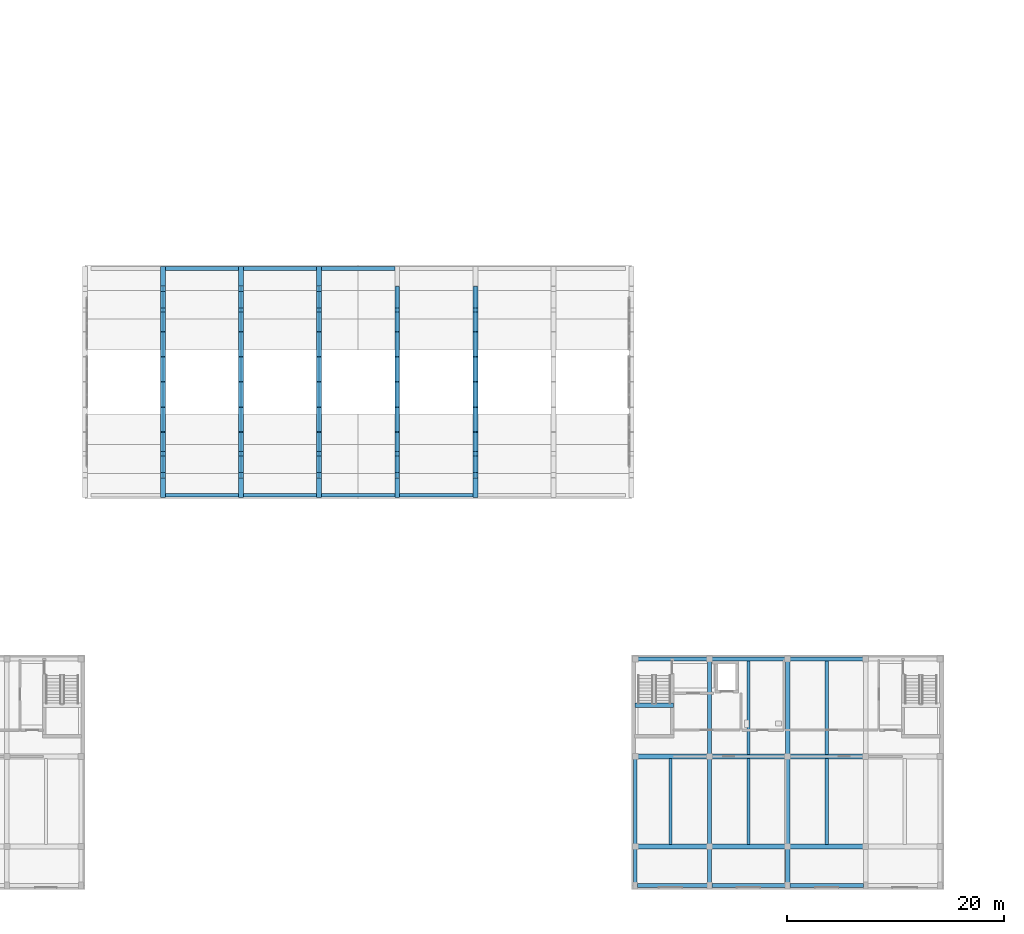
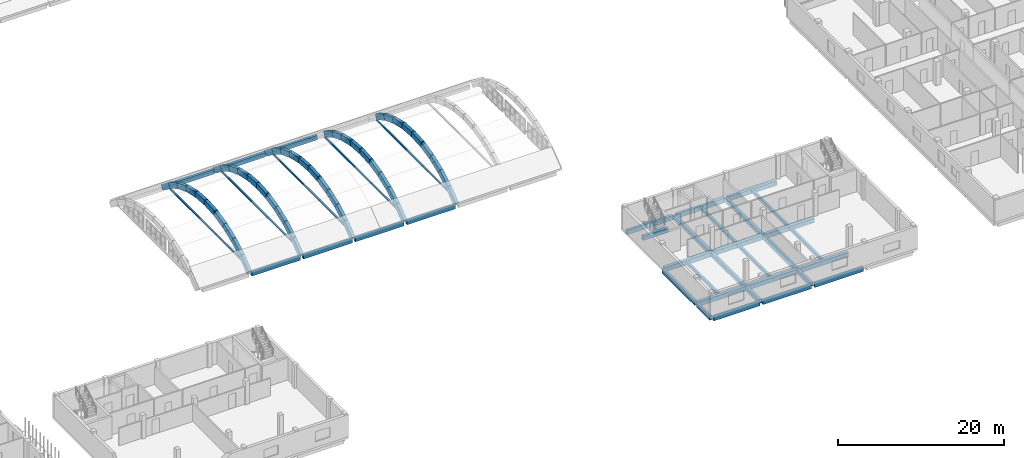
# One storey, part 13 of 73: 81 beams, 5 members.
"""IFC4 building model written with IfcOpenShell, lengths in metres."""

from ifc_helpers import new_model, si_unit, derived_unit, direction, frame, origin, origin_2d, place, context, subcontext, project, spatial, rectangle, hollow_rectangle, extrude, material, material_profile, profile_set, type_object, element, save


model = new_model("IFC4")

# Units and contexts
model_context = context("Model", 3, precision=1e-05, world=origin(), true_north=direction((0.0, 1.0)))
body_context = subcontext(model_context, "Body", "Model", "MODEL_VIEW")
ifc_project = project(units=[si_unit("LENGTHUNIT", "METRE"), si_unit("AREAUNIT", "SQUARE_METRE"), si_unit("VOLUMEUNIT", "CUBIC_METRE"), si_unit("PLANEANGLEUNIT", "RADIAN"), si_unit("MASSUNIT", "GRAM", prefix="KILO"), derived_unit("THERMALTRANSMITTANCEUNIT", [(si_unit("MASSUNIT", "GRAM", prefix="KILO"), 1), (si_unit("TIMEUNIT", "SECOND"), -3), (si_unit("THERMODYNAMICTEMPERATUREUNIT", "KELVIN"), -1)])], contexts=[model_context])

# Site, building, storey
site_placement = place(None, origin())
site = spatial("IfcSite", under=ifc_project, at=site_placement, CompositionType="ELEMENT")
building_placement = place(site_placement, origin())
building = spatial("IfcBuilding", under=site, at=building_placement, Name="Ochrekiln Boulevard Commons", CompositionType="ELEMENT")
storey_placement = place(building_placement, frame((0.0, 0.0, 8.574951171875)))
storey = spatial("IfcBuildingStorey", under=building, at=storey_placement, Name="L02", CompositionType="ELEMENT", Elevation=8.574951171875)

# Beams
ifc_material_1 = material(Name="Concrete C35/45", Category="concrete")
ifc_material_profile_1 = material_profile(ifc_material_1, rectangle(XDim=0.39990234375, YDim=0.60009765625, at=origin_2d()), Name="RC-BM-400x600")
ifc_profile_set_1 = profile_set([ifc_material_profile_1], Name="Concrete C35/45")
beam_type_1 = type_object("IfcBeamType", Name="BM-RC-400x600", PredefinedType="BEAM", material=ifc_profile_set_1)
beam_1_placement = place(storey_placement, frame((115.199951171875, 0.56005859375, -0.574951171875), z_axis=(0.0, 1.0, 0.0), x_axis=(-1.0, 0.0, 0.0)))
element("IfcBeam", 1, at=beam_1_placement, inside=storey, type_object=beam_type_1, Name="East Boulevard Shops and Arcade L02 Beam B-4060 Y19", PredefinedType="BEAM", context=body_context, shape_type="SweptSolid", body=[
    extrude(rectangle(XDim=0.39990234375, YDim=0.60009765625, at=origin_2d()), origin(), (0.0, 0.0, 1.0), 3.179931640625),
])
beam_2_placement = place(storey_placement, frame((115.199951171875, 4.159912109375, -0.574951171875), z_axis=(0.0, 1.0, 0.0), x_axis=(-1.0, 0.0, 0.0)))
element("IfcBeam", 2, at=beam_2_placement, inside=storey, type_object=beam_type_1, Name="East Boulevard Shops and Arcade L02 Beam B-4060 Y20", PredefinedType="BEAM", context=body_context, shape_type="SweptSolid", body=[
    extrude(rectangle(XDim=0.39990234375, YDim=0.60009765625, at=origin_2d()), origin(), (0.0, 0.0, 1.0), 7.880126953125),
])
beam_3_placement = place(storey_placement, frame((115.199951171875, 12.4599609375, -0.574951171875), z_axis=(0.0, 1.0, 0.0), x_axis=(-1.0, 0.0, 0.0)))
element("IfcBeam", 3, at=beam_3_placement, inside=storey, type_object=beam_type_1, Name="East Boulevard Shops and Arcade L02 Beam B-4060 Y21", PredefinedType="BEAM", context=body_context, shape_type="SweptSolid", body=[
    extrude(rectangle(XDim=0.39990234375, YDim=0.60009765625, at=origin_2d()), origin(), (0.0, 0.0, 1.0), 8.580078125),
])
beam_4_placement = place(storey_placement, frame((122.39990234375, 0.56005859375, -0.574951171875), z_axis=(0.0, 1.0, 0.0), x_axis=(-1.0, 0.0, 0.0)))
element("IfcBeam", 4, at=beam_4_placement, inside=storey, type_object=beam_type_1, Name="East Boulevard Shops and Arcade L02 Beam B-4060 Y22", PredefinedType="BEAM", context=body_context, shape_type="SweptSolid", body=[
    extrude(rectangle(XDim=0.39990234375, YDim=0.60009765625, at=origin_2d()), origin(), (0.0, 0.0, 1.0), 3.179931640625),
])
beam_5_placement = place(storey_placement, frame((122.39990234375, 4.159912109375, -0.574951171875), z_axis=(0.0, 1.0, 0.0), x_axis=(-1.0, 0.0, 0.0)))
element("IfcBeam", 5, at=beam_5_placement, inside=storey, type_object=beam_type_1, Name="East Boulevard Shops and Arcade L02 Beam B-4060 Y23", PredefinedType="BEAM", context=body_context, shape_type="SweptSolid", body=[
    extrude(rectangle(XDim=0.39990234375, YDim=0.60009765625, at=origin_2d()), origin(), (0.0, 0.0, 1.0), 7.880126953125),
])
beam_6_placement = place(storey_placement, frame((122.39990234375, 12.4599609375, -0.574951171875), z_axis=(0.0, 1.0, 0.0), x_axis=(-1.0, 0.0, 0.0)))
element("IfcBeam", 6, at=beam_6_placement, inside=storey, type_object=beam_type_1, Name="East Boulevard Shops and Arcade L02 Beam B-4060 Y24", PredefinedType="BEAM", context=body_context, shape_type="SweptSolid", body=[
    extrude(rectangle(XDim=0.39990234375, YDim=0.60009765625, at=origin_2d()), origin(), (0.0, 0.0, 1.0), 8.580078125),
])
beam_7_placement = place(storey_placement, frame((108.320068359375, 16.969970703125, 1.239990234375), z_axis=(1.0, 0.0, 0.0), x_axis=(0.0, 1.0, 0.0)))
element("IfcBeam", 7, at=beam_7_placement, inside=storey, type_object=beam_type_1, Name="Stair ST-E1 L02 Half-Landing Support Beam B-4060", PredefinedType="BEAM", context=body_context, shape_type="SweptSolid", body=[
    extrude(rectangle(XDim=0.39990234375, YDim=0.60009765625, at=origin_2d()), origin(), (0.0, 0.0, 1.0), 3.559814453125),
])
ifc_material_profile_2 = material_profile(ifc_material_1, rectangle(XDim=0.449951171875, YDim=0.64990234375, at=origin_2d()), Name="RC-BM-450x650")
ifc_profile_set_2 = profile_set([ifc_material_profile_2], Name="Concrete C35/45")
beam_type_2 = type_object("IfcBeamType", Name="BM-RC-450x650", PredefinedType="BEAM", material=ifc_profile_set_2)
beam_8_placement = place(storey_placement, frame((108.56005859375, 3.949951171875, -0.599853515625), z_axis=(1.0, 0.0, 0.0), x_axis=(0.0, 1.0, 0.0)))
element("IfcBeam", 8, at=beam_8_placement, inside=storey, type_object=beam_type_2, Name="East Boulevard Shops and Arcade L02 Beam B-4565 X5", PredefinedType="BEAM", context=body_context, shape_type="SweptSolid", body=[
    extrude(rectangle(XDim=0.449951171875, YDim=0.64990234375, at=origin_2d()), origin(), (0.0, 0.0, 1.0), 6.429931640625),
])
beam_9_placement = place(storey_placement, frame((115.409912109375, 3.949951171875, -0.599853515625), z_axis=(1.0, 0.0, 0.0), x_axis=(0.0, 1.0, 0.0)))
element("IfcBeam", 9, at=beam_9_placement, inside=storey, type_object=beam_type_2, Name="East Boulevard Shops and Arcade L02 Beam B-4565 X6", PredefinedType="BEAM", context=body_context, shape_type="SweptSolid", body=[
    extrude(rectangle(XDim=0.449951171875, YDim=0.64990234375, at=origin_2d()), origin(), (0.0, 0.0, 1.0), 6.780029296875),
])
beam_10_placement = place(storey_placement, frame((122.610107421875, 3.949951171875, -0.599853515625), z_axis=(1.0, 0.0, 0.0), x_axis=(0.0, 1.0, 0.0)))
element("IfcBeam", 10, at=beam_10_placement, inside=storey, type_object=beam_type_2, Name="East Boulevard Shops and Arcade L02 Beam B-4565 X7", PredefinedType="BEAM", context=body_context, shape_type="SweptSolid", body=[
    extrude(rectangle(XDim=0.449951171875, YDim=0.64990234375, at=origin_2d()), origin(), (0.0, 0.0, 1.0), 6.77978515625),
])
beam_11_placement = place(storey_placement, frame((108.56005859375, 12.25, -0.599853515625), z_axis=(1.0, 0.0, 0.0), x_axis=(0.0, 1.0, 0.0)))
element("IfcBeam", 11, at=beam_11_placement, inside=storey, type_object=beam_type_2, Name="East Boulevard Shops and Arcade L02 Beam B-4565 X9", PredefinedType="BEAM", context=body_context, shape_type="SweptSolid", body=[
    extrude(rectangle(XDim=0.449951171875, YDim=0.64990234375, at=origin_2d()), origin(), (0.0, 0.0, 1.0), 6.429931640625),
])
beam_12_placement = place(storey_placement, frame((115.409912109375, 12.25, -0.599853515625), z_axis=(1.0, 0.0, 0.0), x_axis=(0.0, 1.0, 0.0)))
element("IfcBeam", 12, at=beam_12_placement, inside=storey, type_object=beam_type_2, Name="East Boulevard Shops and Arcade L02 Beam B-4565 X10", PredefinedType="BEAM", context=body_context, shape_type="SweptSolid", body=[
    extrude(rectangle(XDim=0.449951171875, YDim=0.64990234375, at=origin_2d()), origin(), (0.0, 0.0, 1.0), 6.780029296875),
])
beam_13_placement = place(storey_placement, frame((122.610107421875, 12.25, -0.599853515625), z_axis=(1.0, 0.0, 0.0), x_axis=(0.0, 1.0, 0.0)))
element("IfcBeam", 13, at=beam_13_placement, inside=storey, type_object=beam_type_2, Name="East Boulevard Shops and Arcade L02 Beam B-4565 X11", PredefinedType="BEAM", context=body_context, shape_type="SweptSolid", body=[
    extrude(rectangle(XDim=0.449951171875, YDim=0.64990234375, at=origin_2d()), origin(), (0.0, 0.0, 1.0), 6.77978515625),
])
ifc_material_2 = material(Name="Concrete C40/50", Category="concrete")
ifc_material_profile_3 = material_profile(ifc_material_2, rectangle(XDim=0.449951171875, YDim=0.800048828125, at=origin_2d()), Name="RC-RIB-450x800")
ifc_profile_set_3 = profile_set([ifc_material_profile_3], Name="Concrete C40/50")
beam_type_3 = type_object("IfcBeamType", Name="BM-RIB-450x800", PredefinedType="BEAM", material=ifc_profile_set_3)
beam_14_placement = place(storey_placement, frame((64.800048828125, 36.405517578125, -0.4423828125), z_axis=(0.0, 0.785288184657, 0.61913041198), x_axis=(-1.0, 0.0, 0.0)))
element("IfcBeam", 14, at=beam_14_placement, inside=storey, type_object=beam_type_3, Name="Community Hall Barrel Vault Arch Rib 2 Chord 1", PredefinedType="BEAM", context=body_context, shape_type="SweptSolid", body=[
    extrude(rectangle(XDim=0.449951171875, YDim=0.800048828125, at=origin_2d()), origin(), (0.0, 0.0, 1.0), 2.280517578125),
])
beam_15_placement = place(storey_placement, frame((64.800048828125, 38.1962890625, 0.969482421875), z_axis=(0.0, 0.868183838811, 0.496242704759), x_axis=(-1.0, 0.0, 0.0)))
element("IfcBeam", 15, at=beam_15_placement, inside=storey, type_object=beam_type_3, Name="Community Hall Barrel Vault Arch Rib 2 Chord 2", PredefinedType="BEAM", context=body_context, shape_type="SweptSolid", body=[
    extrude(rectangle(XDim=0.449951171875, YDim=0.800048828125, at=origin_2d()), origin(), (0.0, 0.0, 1.0), 2.2802734375),
])
for number, where, z_axis, x_axis, name in (
    (16, (64.800048828125, 40.176025390625, 2.10107421875), (0.0, 0.93199261694, 0.362477257174), (-1.0, 0.0, 0.0), "Community Hall Barrel Vault Arch Rib 2 Chord 3"),
    (17, (64.800048828125, 42.301513671875, 2.927734375), (0.0, 0.975333305686, 0.220737271027), (-1.0, 0.0, 0.0), "Community Hall Barrel Vault Arch Rib 2 Chord 4"),
    (18, (64.800048828125, 44.52587890625, 3.43115234375), (0.0, 0.997251957722, 0.074084632823), (-1.0, 0.0, 0.0), "Community Hall Barrel Vault Arch Rib 2 Chord 5"),
    (19, (64.800048828125, 46.800048828125, 3.60009765625), (0.0, 0.997251957722, -0.074084632823), (-1.0, 0.0, 0.0), "Community Hall Barrel Vault Arch Rib 2 Chord 6"),
    (20, (64.800048828125, 49.07421875, 3.43115234375), (0.0, 0.975333305686, -0.220737271027), (-1.0, 0.0, 0.0), "Community Hall Barrel Vault Arch Rib 2 Chord 7"),
):
    element("IfcBeam", number, at=place(storey_placement, frame(where, z_axis=z_axis, x_axis=x_axis)), inside=storey, type_object=beam_type_3, Name=name, PredefinedType="BEAM", context=body_context, shape_type="SweptSolid", body=[
        extrude(rectangle(XDim=0.449951171875, YDim=0.800048828125, at=origin_2d()), origin(), (0.0, 0.0, 1.0), 2.280517578125),
    ])
beam_16_placement = place(storey_placement, frame((64.800048828125, 51.298583984375, 2.927734375), z_axis=(0.0, 0.93197854933, -0.362513425391), x_axis=(-1.0, 0.0, 0.0)))
element("IfcBeam", 21, at=beam_16_placement, inside=storey, type_object=beam_type_3, Name="Community Hall Barrel Vault Arch Rib 2 Chord 8", PredefinedType="BEAM", context=body_context, shape_type="SweptSolid", body=[
    extrude(rectangle(XDim=0.449951171875, YDim=0.800048828125, at=origin_2d()), origin(), (0.0, 0.0, 1.0), 2.2802734375),
])
for number, where, z_axis, x_axis, name in (
    (22, (64.800048828125, 53.423828125, 2.10107421875), (0.0, 0.868210200433, -0.496196581875), (-1.0, 0.0, 0.0), "Community Hall Barrel Vault Arch Rib 2 Chord 9"),
    (23, (64.800048828125, 55.40380859375, 0.969482421875), (0.0, 0.785288184657, -0.61913041198), (-1.0, 0.0, 0.0), "Community Hall Barrel Vault Arch Rib 2 Chord 10"),
    (24, (72.0, 36.405517578125, -0.4423828125), (0.0, 0.785288184657, 0.61913041198), (-1.0, 0.0, 0.0), "Community Hall Barrel Vault Arch Rib 3 Chord 1"),
):
    element("IfcBeam", number, at=place(storey_placement, frame(where, z_axis=z_axis, x_axis=x_axis)), inside=storey, type_object=beam_type_3, Name=name, PredefinedType="BEAM", context=body_context, shape_type="SweptSolid", body=[
        extrude(rectangle(XDim=0.449951171875, YDim=0.800048828125, at=origin_2d()), origin(), (0.0, 0.0, 1.0), 2.280517578125),
    ])
beam_17_placement = place(storey_placement, frame((72.0, 38.1962890625, 0.969482421875), z_axis=(0.0, 0.868183838811, 0.496242704759), x_axis=(-1.0, 0.0, 0.0)))
element("IfcBeam", 25, at=beam_17_placement, inside=storey, type_object=beam_type_3, Name="Community Hall Barrel Vault Arch Rib 3 Chord 2", PredefinedType="BEAM", context=body_context, shape_type="SweptSolid", body=[
    extrude(rectangle(XDim=0.449951171875, YDim=0.800048828125, at=origin_2d()), origin(), (0.0, 0.0, 1.0), 2.2802734375),
])
for number, where, z_axis, x_axis, name in (
    (26, (72.0, 40.176025390625, 2.10107421875), (0.0, 0.93199261694, 0.362477257174), (-1.0, 0.0, 0.0), "Community Hall Barrel Vault Arch Rib 3 Chord 3"),
    (27, (72.0, 42.301513671875, 2.927734375), (0.0, 0.975333305686, 0.220737271027), (-1.0, 0.0, 0.0), "Community Hall Barrel Vault Arch Rib 3 Chord 4"),
    (28, (72.0, 44.52587890625, 3.43115234375), (0.0, 0.997251957722, 0.074084632823), (-1.0, 0.0, 0.0), "Community Hall Barrel Vault Arch Rib 3 Chord 5"),
    (29, (72.0, 46.800048828125, 3.60009765625), (0.0, 0.997251957722, -0.074084632823), (-1.0, 0.0, 0.0), "Community Hall Barrel Vault Arch Rib 3 Chord 6"),
    (30, (72.0, 49.07421875, 3.43115234375), (0.0, 0.975333305686, -0.220737271027), (-1.0, 0.0, 0.0), "Community Hall Barrel Vault Arch Rib 3 Chord 7"),
):
    element("IfcBeam", number, at=place(storey_placement, frame(where, z_axis=z_axis, x_axis=x_axis)), inside=storey, type_object=beam_type_3, Name=name, PredefinedType="BEAM", context=body_context, shape_type="SweptSolid", body=[
        extrude(rectangle(XDim=0.449951171875, YDim=0.800048828125, at=origin_2d()), origin(), (0.0, 0.0, 1.0), 2.280517578125),
    ])
beam_18_placement = place(storey_placement, frame((72.0, 51.298583984375, 2.927734375), z_axis=(0.0, 0.93197854933, -0.362513425391), x_axis=(-1.0, 0.0, 0.0)))
element("IfcBeam", 31, at=beam_18_placement, inside=storey, type_object=beam_type_3, Name="Community Hall Barrel Vault Arch Rib 3 Chord 8", PredefinedType="BEAM", context=body_context, shape_type="SweptSolid", body=[
    extrude(rectangle(XDim=0.449951171875, YDim=0.800048828125, at=origin_2d()), origin(), (0.0, 0.0, 1.0), 2.2802734375),
])
for number, where, z_axis, x_axis, name in (
    (32, (72.0, 53.423828125, 2.10107421875), (0.0, 0.868210200433, -0.496196581875), (-1.0, 0.0, 0.0), "Community Hall Barrel Vault Arch Rib 3 Chord 9"),
    (33, (72.0, 55.40380859375, 0.969482421875), (0.0, 0.785288184657, -0.61913041198), (-1.0, 0.0, 0.0), "Community Hall Barrel Vault Arch Rib 3 Chord 10"),
    (34, (79.199951171875, 36.405517578125, -0.4423828125), (0.0, 0.785288184657, 0.61913041198), (-1.0, 0.0, 0.0), "Community Hall Barrel Vault Arch Rib 4 Chord 1"),
):
    element("IfcBeam", number, at=place(storey_placement, frame(where, z_axis=z_axis, x_axis=x_axis)), inside=storey, type_object=beam_type_3, Name=name, PredefinedType="BEAM", context=body_context, shape_type="SweptSolid", body=[
        extrude(rectangle(XDim=0.449951171875, YDim=0.800048828125, at=origin_2d()), origin(), (0.0, 0.0, 1.0), 2.280517578125),
    ])
beam_19_placement = place(storey_placement, frame((79.199951171875, 38.1962890625, 0.969482421875), z_axis=(0.0, 0.868183838811, 0.496242704759), x_axis=(-1.0, 0.0, 0.0)))
element("IfcBeam", 35, at=beam_19_placement, inside=storey, type_object=beam_type_3, Name="Community Hall Barrel Vault Arch Rib 4 Chord 2", PredefinedType="BEAM", context=body_context, shape_type="SweptSolid", body=[
    extrude(rectangle(XDim=0.449951171875, YDim=0.800048828125, at=origin_2d()), origin(), (0.0, 0.0, 1.0), 2.2802734375),
])
for number, where, z_axis, x_axis, name in (
    (36, (79.199951171875, 40.176025390625, 2.10107421875), (0.0, 0.93199261694, 0.362477257174), (-1.0, 0.0, 0.0), "Community Hall Barrel Vault Arch Rib 4 Chord 3"),
    (37, (79.199951171875, 42.301513671875, 2.927734375), (0.0, 0.975333305686, 0.220737271027), (-1.0, 0.0, 0.0), "Community Hall Barrel Vault Arch Rib 4 Chord 4"),
    (38, (79.199951171875, 44.52587890625, 3.43115234375), (0.0, 0.997251957722, 0.074084632823), (-1.0, 0.0, 0.0), "Community Hall Barrel Vault Arch Rib 4 Chord 5"),
    (39, (79.199951171875, 46.800048828125, 3.60009765625), (0.0, 0.997251957722, -0.074084632823), (-1.0, 0.0, 0.0), "Community Hall Barrel Vault Arch Rib 4 Chord 6"),
    (40, (79.199951171875, 49.07421875, 3.43115234375), (0.0, 0.975333305686, -0.220737271027), (-1.0, 0.0, 0.0), "Community Hall Barrel Vault Arch Rib 4 Chord 7"),
):
    element("IfcBeam", number, at=place(storey_placement, frame(where, z_axis=z_axis, x_axis=x_axis)), inside=storey, type_object=beam_type_3, Name=name, PredefinedType="BEAM", context=body_context, shape_type="SweptSolid", body=[
        extrude(rectangle(XDim=0.449951171875, YDim=0.800048828125, at=origin_2d()), origin(), (0.0, 0.0, 1.0), 2.280517578125),
    ])
beam_20_placement = place(storey_placement, frame((79.199951171875, 51.298583984375, 2.927734375), z_axis=(0.0, 0.93197854933, -0.362513425391), x_axis=(-1.0, 0.0, 0.0)))
element("IfcBeam", 41, at=beam_20_placement, inside=storey, type_object=beam_type_3, Name="Community Hall Barrel Vault Arch Rib 4 Chord 8", PredefinedType="BEAM", context=body_context, shape_type="SweptSolid", body=[
    extrude(rectangle(XDim=0.449951171875, YDim=0.800048828125, at=origin_2d()), origin(), (0.0, 0.0, 1.0), 2.2802734375),
])
for number, where, z_axis, x_axis, name in (
    (42, (79.199951171875, 53.423828125, 2.10107421875), (0.0, 0.868210200433, -0.496196581875), (-1.0, 0.0, 0.0), "Community Hall Barrel Vault Arch Rib 4 Chord 9"),
    (43, (79.199951171875, 55.40380859375, 0.969482421875), (0.0, 0.785288184657, -0.61913041198), (-1.0, 0.0, 0.0), "Community Hall Barrel Vault Arch Rib 4 Chord 10"),
    (44, (86.39990234375, 36.405517578125, -0.4423828125), (0.0, 0.785288184657, 0.61913041198), (-1.0, 0.0, 0.0), "Community Hall Barrel Vault Arch Rib 5 Chord 1"),
):
    element("IfcBeam", number, at=place(storey_placement, frame(where, z_axis=z_axis, x_axis=x_axis)), inside=storey, type_object=beam_type_3, Name=name, PredefinedType="BEAM", context=body_context, shape_type="SweptSolid", body=[
        extrude(rectangle(XDim=0.449951171875, YDim=0.800048828125, at=origin_2d()), origin(), (0.0, 0.0, 1.0), 2.280517578125),
    ])
beam_21_placement = place(storey_placement, frame((86.39990234375, 38.1962890625, 0.969482421875), z_axis=(0.0, 0.868183838811, 0.496242704759), x_axis=(-1.0, 0.0, 0.0)))
element("IfcBeam", 45, at=beam_21_placement, inside=storey, type_object=beam_type_3, Name="Community Hall Barrel Vault Arch Rib 5 Chord 2", PredefinedType="BEAM", context=body_context, shape_type="SweptSolid", body=[
    extrude(rectangle(XDim=0.449951171875, YDim=0.800048828125, at=origin_2d()), origin(), (0.0, 0.0, 1.0), 2.2802734375),
])
for number, where, z_axis, x_axis, name in (
    (46, (86.39990234375, 40.176025390625, 2.10107421875), (0.0, 0.93199261694, 0.362477257174), (-1.0, 0.0, 0.0), "Community Hall Barrel Vault Arch Rib 5 Chord 3"),
    (47, (86.39990234375, 42.301513671875, 2.927734375), (0.0, 0.975333305686, 0.220737271027), (-1.0, 0.0, 0.0), "Community Hall Barrel Vault Arch Rib 5 Chord 4"),
    (48, (86.39990234375, 44.52587890625, 3.43115234375), (0.0, 0.997251957722, 0.074084632823), (-1.0, 0.0, 0.0), "Community Hall Barrel Vault Arch Rib 5 Chord 5"),
    (49, (86.39990234375, 46.800048828125, 3.60009765625), (0.0, 0.997251957722, -0.074084632823), (-1.0, 0.0, 0.0), "Community Hall Barrel Vault Arch Rib 5 Chord 6"),
    (50, (86.39990234375, 49.07421875, 3.43115234375), (0.0, 0.975333305686, -0.220737271027), (-1.0, 0.0, 0.0), "Community Hall Barrel Vault Arch Rib 5 Chord 7"),
):
    element("IfcBeam", number, at=place(storey_placement, frame(where, z_axis=z_axis, x_axis=x_axis)), inside=storey, type_object=beam_type_3, Name=name, PredefinedType="BEAM", context=body_context, shape_type="SweptSolid", body=[
        extrude(rectangle(XDim=0.449951171875, YDim=0.800048828125, at=origin_2d()), origin(), (0.0, 0.0, 1.0), 2.280517578125),
    ])
beam_22_placement = place(storey_placement, frame((86.39990234375, 51.298583984375, 2.927734375), z_axis=(0.0, 0.93197854933, -0.362513425391), x_axis=(-1.0, 0.0, 0.0)))
element("IfcBeam", 51, at=beam_22_placement, inside=storey, type_object=beam_type_3, Name="Community Hall Barrel Vault Arch Rib 5 Chord 8", PredefinedType="BEAM", context=body_context, shape_type="SweptSolid", body=[
    extrude(rectangle(XDim=0.449951171875, YDim=0.800048828125, at=origin_2d()), origin(), (0.0, 0.0, 1.0), 2.2802734375),
])
for number, where, z_axis, x_axis, name in (
    (52, (86.39990234375, 53.423828125, 2.10107421875), (0.0, 0.868210200433, -0.496196581875), (-1.0, 0.0, 0.0), "Community Hall Barrel Vault Arch Rib 5 Chord 9"),
    (53, (93.60009765625, 36.405517578125, -0.4423828125), (0.0, 0.785288184657, 0.61913041198), (-1.0, 0.0, 0.0), "Community Hall Barrel Vault Arch Rib 6 Chord 1"),
):
    element("IfcBeam", number, at=place(storey_placement, frame(where, z_axis=z_axis, x_axis=x_axis)), inside=storey, type_object=beam_type_3, Name=name, PredefinedType="BEAM", context=body_context, shape_type="SweptSolid", body=[
        extrude(rectangle(XDim=0.449951171875, YDim=0.800048828125, at=origin_2d()), origin(), (0.0, 0.0, 1.0), 2.280517578125),
    ])
beam_23_placement = place(storey_placement, frame((93.60009765625, 38.1962890625, 0.969482421875), z_axis=(0.0, 0.868183838811, 0.496242704759), x_axis=(-1.0, 0.0, 0.0)))
element("IfcBeam", 54, at=beam_23_placement, inside=storey, type_object=beam_type_3, Name="Community Hall Barrel Vault Arch Rib 6 Chord 2", PredefinedType="BEAM", context=body_context, shape_type="SweptSolid", body=[
    extrude(rectangle(XDim=0.449951171875, YDim=0.800048828125, at=origin_2d()), origin(), (0.0, 0.0, 1.0), 2.2802734375),
])
for number, where, z_axis, x_axis, name in (
    (55, (93.60009765625, 40.176025390625, 2.10107421875), (0.0, 0.93199261694, 0.362477257174), (-1.0, 0.0, 0.0), "Community Hall Barrel Vault Arch Rib 6 Chord 3"),
    (56, (93.60009765625, 42.301513671875, 2.927734375), (0.0, 0.975333305686, 0.220737271027), (-1.0, 0.0, 0.0), "Community Hall Barrel Vault Arch Rib 6 Chord 4"),
    (57, (93.60009765625, 44.52587890625, 3.43115234375), (0.0, 0.997251957722, 0.074084632823), (-1.0, 0.0, 0.0), "Community Hall Barrel Vault Arch Rib 6 Chord 5"),
    (58, (93.60009765625, 46.800048828125, 3.60009765625), (0.0, 0.997251957722, -0.074084632823), (-1.0, 0.0, 0.0), "Community Hall Barrel Vault Arch Rib 6 Chord 6"),
    (59, (93.60009765625, 49.07421875, 3.43115234375), (0.0, 0.975333305686, -0.220737271027), (-1.0, 0.0, 0.0), "Community Hall Barrel Vault Arch Rib 6 Chord 7"),
):
    element("IfcBeam", number, at=place(storey_placement, frame(where, z_axis=z_axis, x_axis=x_axis)), inside=storey, type_object=beam_type_3, Name=name, PredefinedType="BEAM", context=body_context, shape_type="SweptSolid", body=[
        extrude(rectangle(XDim=0.449951171875, YDim=0.800048828125, at=origin_2d()), origin(), (0.0, 0.0, 1.0), 2.280517578125),
    ])
beam_24_placement = place(storey_placement, frame((93.60009765625, 51.298583984375, 2.927734375), z_axis=(0.0, 0.93197854933, -0.362513425391), x_axis=(-1.0, 0.0, 0.0)))
element("IfcBeam", 60, at=beam_24_placement, inside=storey, type_object=beam_type_3, Name="Community Hall Barrel Vault Arch Rib 6 Chord 8", PredefinedType="BEAM", context=body_context, shape_type="SweptSolid", body=[
    extrude(rectangle(XDim=0.449951171875, YDim=0.800048828125, at=origin_2d()), origin(), (0.0, 0.0, 1.0), 2.2802734375),
])
beam_25_placement = place(storey_placement, frame((93.60009765625, 53.423828125, 2.10107421875), z_axis=(0.0, 0.868210200433, -0.496196581875), x_axis=(-1.0, 0.0, 0.0)))
element("IfcBeam", 61, at=beam_25_placement, inside=storey, type_object=beam_type_3, Name="Community Hall Barrel Vault Arch Rib 6 Chord 9", PredefinedType="BEAM", context=body_context, shape_type="SweptSolid", body=[
    extrude(rectangle(XDim=0.449951171875, YDim=0.800048828125, at=origin_2d()), origin(), (0.0, 0.0, 1.0), 2.280517578125),
])
ifc_material_profile_4 = material_profile(ifc_material_1, rectangle(XDim=0.300048828125, YDim=0.449951171875, at=origin_2d()), Name="RC-JST-300x450")
ifc_profile_set_4 = profile_set([ifc_material_profile_4], Name="Concrete C35/45")
beam_type_4 = type_object("IfcBeamType", Name="JST-RC-300x450", PredefinedType="JOIST", material=ifc_profile_set_4)
for number, where, z_axis, x_axis, name in (
    (62, (111.60009765625, 4.1201171875, -0.5), (0.0, 1.0, 0.0), (-1.0, 0.0, 0.0), "Boulevard Arcade L02 Floor Joist J-3045 (25)"),
    (63, (118.800048828125, 4.1201171875, -0.5), (0.0, 1.0, 0.0), (-1.0, 0.0, 0.0), "Boulevard Arcade L02 Floor Joist J-3045 (26)"),
):
    element("IfcBeam", number, at=place(storey_placement, frame(where, z_axis=z_axis, x_axis=x_axis)), inside=storey, type_object=beam_type_4, Name=name, PredefinedType="JOIST", context=body_context, shape_type="SweptSolid", body=[
        extrude(rectangle(XDim=0.300048828125, YDim=0.449951171875, at=origin_2d()), origin(), (0.0, 0.0, 1.0), 7.9599609375),
    ])
beam_26_placement = place(storey_placement, frame((118.800048828125, 12.419921875, -0.5), z_axis=(0.0, 1.0, 0.0), x_axis=(-1.0, 0.0, 0.0)))
element("IfcBeam", 64, at=beam_26_placement, inside=storey, type_object=beam_type_4, Name="Boulevard Arcade L02 Floor Joist J-3045 (27)", PredefinedType="JOIST", context=body_context, shape_type="SweptSolid", body=[
    extrude(rectangle(XDim=0.300048828125, YDim=0.449951171875, at=origin_2d()), origin(), (0.0, 0.0, 1.0), 8.66015625),
])
beam_27_placement = place(storey_placement, frame((126.0, 4.1201171875, -0.5), z_axis=(0.0, 1.0, 0.0), x_axis=(-1.0, 0.0, 0.0)))
element("IfcBeam", 65, at=beam_27_placement, inside=storey, type_object=beam_type_4, Name="Boulevard Arcade L02 Floor Joist J-3045 (28)", PredefinedType="JOIST", context=body_context, shape_type="SweptSolid", body=[
    extrude(rectangle(XDim=0.300048828125, YDim=0.449951171875, at=origin_2d()), origin(), (0.0, 0.0, 1.0), 7.9599609375),
])
beam_28_placement = place(storey_placement, frame((126.0, 12.419921875, -0.5), z_axis=(0.0, 1.0, 0.0), x_axis=(-1.0, 0.0, 0.0)))
element("IfcBeam", 66, at=beam_28_placement, inside=storey, type_object=beam_type_4, Name="Boulevard Arcade L02 Floor Joist J-3045 (29)", PredefinedType="JOIST", context=body_context, shape_type="SweptSolid", body=[
    extrude(rectangle(XDim=0.300048828125, YDim=0.449951171875, at=origin_2d()), origin(), (0.0, 0.0, 1.0), 8.66015625),
])

# Members
ifc_material_3 = material(Name="Steel A500 Grade C", Category="steel")
ifc_material_profile_5 = material_profile(ifc_material_3, hollow_rectangle(XDim=0.199951171875, YDim=0.199951171875, WallThickness=0.012451171875, at=origin_2d()), Name="HSS200X200X12.5")
ifc_profile_set_5 = profile_set([ifc_material_profile_5], Name="Steel A500 Grade C")
member_type = type_object("IfcMemberType", Name="MEM-TIE-HSS200", PredefinedType="CHORD", material=ifc_profile_set_5)
for number, where, z_axis, x_axis, name in (
    (67, (64.800048828125, 37.9599609375, 0.324951171875), (0.0, 1.0, 0.0), (-1.0, 0.0, 0.0), "Community Hall Barrel Vault Horizontal Tie Rod 2"),
    (68, (72.0, 37.9599609375, 0.324951171875), (0.0, 1.0, 0.0), (-1.0, 0.0, 0.0), "Community Hall Barrel Vault Horizontal Tie Rod 3"),
    (69, (79.199951171875, 37.9599609375, 0.324951171875), (0.0, 1.0, 0.0), (-1.0, 0.0, 0.0), "Community Hall Barrel Vault Horizontal Tie Rod 4"),
    (70, (86.39990234375, 37.9599609375, 0.324951171875), (0.0, 1.0, 0.0), (-1.0, 0.0, 0.0), "Community Hall Barrel Vault Horizontal Tie Rod 5"),
    (71, (93.60009765625, 37.9599609375, 0.324951171875), (0.0, 1.0, 0.0), (-1.0, 0.0, 0.0), "Community Hall Barrel Vault Horizontal Tie Rod 6"),
):
    element("IfcMember", number, at=place(storey_placement, frame(where, z_axis=z_axis, x_axis=x_axis)), inside=storey, type_object=member_type, Name=name, PredefinedType="CHORD", context=body_context, shape_type="SweptSolid", body=[
        extrude(hollow_rectangle(XDim=0.199951171875, YDim=0.199951171875, WallThickness=0.012451171875, at=origin_2d()), origin(), (0.0, 0.0, 1.0), 17.679931640625),
    ])

# Beams
ifc_material_profile_6 = material_profile(ifc_material_2, rectangle(XDim=0.35009765625, YDim=0.64990234375, at=origin_2d()), Name="RC-SPN-350x650")
ifc_profile_set_6 = profile_set([ifc_material_profile_6], Name="Concrete C40/50")
beam_type_5 = type_object("IfcBeamType", Name="SPN-RC-350x650", PredefinedType="SPANDREL", material=ifc_profile_set_6)
for number, where, z_axis, x_axis, name in (
    (72, (65.010009765625, 36.35009765625, -0.594970703125), (1.0, 0.0, 0.0), (0.0, 1.0, 0.0), "Community Hall L02 Beam SP-3565 X2"),
    (73, (72.2099609375, 36.35009765625, -0.594970703125), (1.0, 0.0, 0.0), (0.0, 1.0, 0.0), "Community Hall L02 Beam SP-3565 X3"),
    (74, (79.409912109375, 36.35009765625, -0.594970703125), (1.0, 0.0, 0.0), (0.0, 1.0, 0.0), "Community Hall L02 Beam SP-3565 X4"),
):
    element("IfcBeam", number, at=place(storey_placement, frame(where, z_axis=z_axis, x_axis=x_axis)), inside=storey, type_object=beam_type_5, Name=name, PredefinedType="SPANDREL", context=body_context, shape_type="SweptSolid", body=[
        extrude(rectangle(XDim=0.35009765625, YDim=0.64990234375, at=origin_2d()), origin(), (0.0, 0.0, 1.0), 6.780029296875),
    ])
beam_29_placement = place(storey_placement, frame((86.610107421875, 36.35009765625, -0.594970703125), z_axis=(1.0, 0.0, 0.0), x_axis=(0.0, 1.0, 0.0)))
element("IfcBeam", 75, at=beam_29_placement, inside=storey, type_object=beam_type_5, Name="Community Hall L02 Beam SP-3565 X5", PredefinedType="SPANDREL", context=body_context, shape_type="SweptSolid", body=[
    extrude(rectangle(XDim=0.35009765625, YDim=0.64990234375, at=origin_2d()), origin(), (0.0, 0.0, 1.0), 6.77978515625),
])
for number, where, z_axis, x_axis, name in (
    (76, (65.010009765625, 57.25, -0.594970703125), (1.0, 0.0, 0.0), (0.0, 1.0, 0.0), "Community Hall L02 Beam SP-3565 X9"),
    (77, (72.2099609375, 57.25, -0.594970703125), (1.0, 0.0, 0.0), (0.0, 1.0, 0.0), "Community Hall L02 Beam SP-3565 X10"),
    (78, (79.409912109375, 57.25, -0.594970703125), (1.0, 0.0, 0.0), (0.0, 1.0, 0.0), "Community Hall L02 Beam SP-3565 X11"),
):
    element("IfcBeam", number, at=place(storey_placement, frame(where, z_axis=z_axis, x_axis=x_axis)), inside=storey, type_object=beam_type_5, Name=name, PredefinedType="SPANDREL", context=body_context, shape_type="SweptSolid", body=[
        extrude(rectangle(XDim=0.35009765625, YDim=0.64990234375, at=origin_2d()), origin(), (0.0, 0.0, 1.0), 6.780029296875),
    ])
beam_30_placement = place(storey_placement, frame((108.56005859375, 0.35009765625, -0.599853515625), z_axis=(1.0, 0.0, 0.0), x_axis=(0.0, 1.0, 0.0)))
element("IfcBeam", 79, at=beam_30_placement, inside=storey, type_object=beam_type_5, Name="East Boulevard Shops and Arcade L02 Beam SP-3565 X1", PredefinedType="SPANDREL", context=body_context, shape_type="SweptSolid", body=[
    extrude(rectangle(XDim=0.35009765625, YDim=0.64990234375, at=origin_2d()), origin(), (0.0, 0.0, 1.0), 6.429931640625),
])
beam_31_placement = place(storey_placement, frame((115.409912109375, 0.35009765625, -0.599853515625), z_axis=(1.0, 0.0, 0.0), x_axis=(0.0, 1.0, 0.0)))
element("IfcBeam", 80, at=beam_31_placement, inside=storey, type_object=beam_type_5, Name="East Boulevard Shops and Arcade L02 Beam SP-3565 X2", PredefinedType="SPANDREL", context=body_context, shape_type="SweptSolid", body=[
    extrude(rectangle(XDim=0.35009765625, YDim=0.64990234375, at=origin_2d()), origin(), (0.0, 0.0, 1.0), 6.780029296875),
])
beam_32_placement = place(storey_placement, frame((122.610107421875, 0.35009765625, -0.599853515625), z_axis=(1.0, 0.0, 0.0), x_axis=(0.0, 1.0, 0.0)))
element("IfcBeam", 81, at=beam_32_placement, inside=storey, type_object=beam_type_5, Name="East Boulevard Shops and Arcade L02 Beam SP-3565 X3", PredefinedType="SPANDREL", context=body_context, shape_type="SweptSolid", body=[
    extrude(rectangle(XDim=0.35009765625, YDim=0.64990234375, at=origin_2d()), origin(), (0.0, 0.0, 1.0), 6.77978515625),
])
beam_33_placement = place(storey_placement, frame((108.56005859375, 21.25, -0.599853515625), z_axis=(1.0, 0.0, 0.0), x_axis=(0.0, 1.0, 0.0)))
element("IfcBeam", 82, at=beam_33_placement, inside=storey, type_object=beam_type_5, Name="East Boulevard Shops and Arcade L02 Beam SP-3565 X13", PredefinedType="SPANDREL", context=body_context, shape_type="SweptSolid", body=[
    extrude(rectangle(XDim=0.35009765625, YDim=0.64990234375, at=origin_2d()), origin(), (0.0, 0.0, 1.0), 6.429931640625),
])
beam_34_placement = place(storey_placement, frame((115.409912109375, 21.25, -0.599853515625), z_axis=(1.0, 0.0, 0.0), x_axis=(0.0, 1.0, 0.0)))
element("IfcBeam", 83, at=beam_34_placement, inside=storey, type_object=beam_type_5, Name="East Boulevard Shops and Arcade L02 Beam SP-3565 X14", PredefinedType="SPANDREL", context=body_context, shape_type="SweptSolid", body=[
    extrude(rectangle(XDim=0.35009765625, YDim=0.64990234375, at=origin_2d()), origin(), (0.0, 0.0, 1.0), 6.780029296875),
])
beam_35_placement = place(storey_placement, frame((122.610107421875, 21.25, -0.599853515625), z_axis=(1.0, 0.0, 0.0), x_axis=(0.0, 1.0, 0.0)))
element("IfcBeam", 84, at=beam_35_placement, inside=storey, type_object=beam_type_5, Name="East Boulevard Shops and Arcade L02 Beam SP-3565 X15", PredefinedType="SPANDREL", context=body_context, shape_type="SweptSolid", body=[
    extrude(rectangle(XDim=0.35009765625, YDim=0.64990234375, at=origin_2d()), origin(), (0.0, 0.0, 1.0), 6.77978515625),
])
beam_36_placement = place(storey_placement, frame((108.35009765625, 0.56005859375, -0.599853515625), z_axis=(0.0, 1.0, 0.0), x_axis=(-1.0, 0.0, 0.0)))
element("IfcBeam", 85, at=beam_36_placement, inside=storey, type_object=beam_type_5, Name="East Boulevard Shops and Arcade L02 Beam SP-3565 Y17", PredefinedType="SPANDREL", context=body_context, shape_type="SweptSolid", body=[
    extrude(rectangle(XDim=0.35009765625, YDim=0.64990234375, at=origin_2d()), origin(), (0.0, 0.0, 1.0), 3.179931640625),
])
beam_37_placement = place(storey_placement, frame((108.35009765625, 4.159912109375, -0.599853515625), z_axis=(0.0, 1.0, 0.0), x_axis=(-1.0, 0.0, 0.0)))
element("IfcBeam", 86, at=beam_37_placement, inside=storey, type_object=beam_type_5, Name="East Boulevard Shops and Arcade L02 Beam SP-3565 Y18", PredefinedType="SPANDREL", context=body_context, shape_type="SweptSolid", body=[
    extrude(rectangle(XDim=0.35009765625, YDim=0.64990234375, at=origin_2d()), origin(), (0.0, 0.0, 1.0), 7.880126953125),
])

save(model, "model.ifc")
